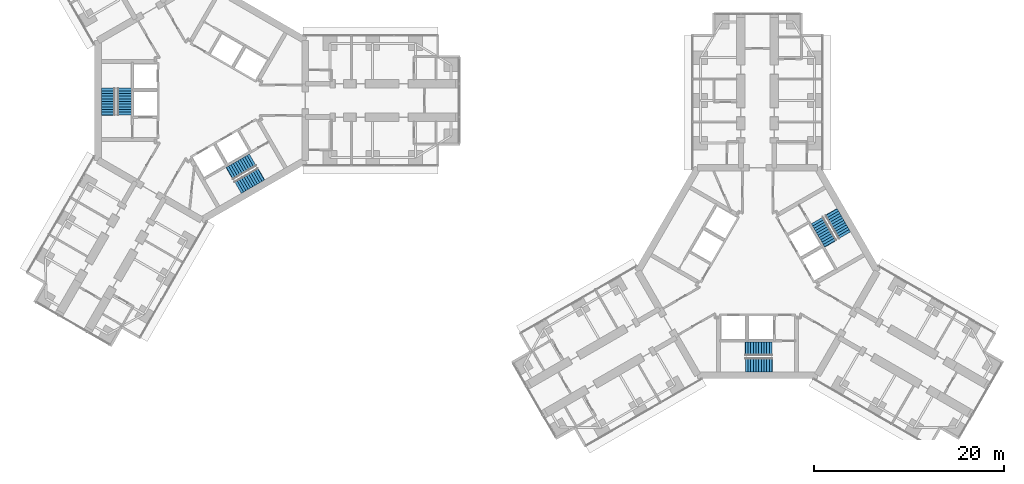
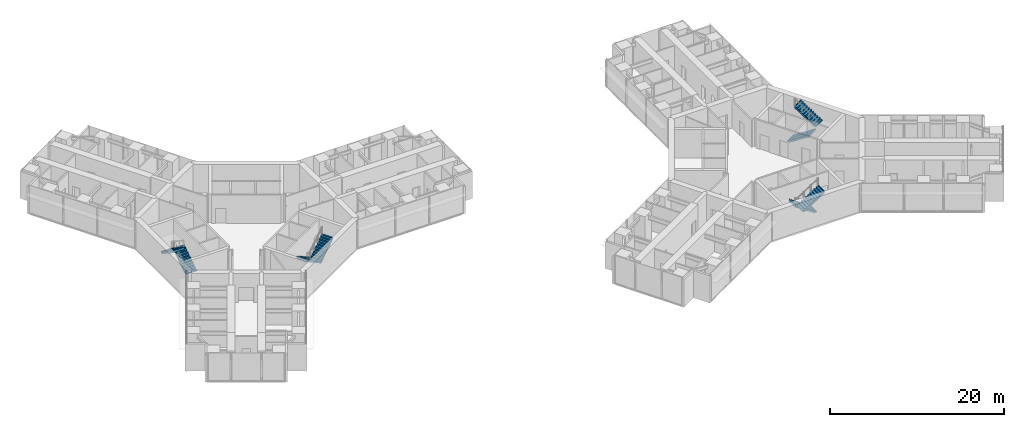
# One storey, part 23 of 24: 8 stair flights, 4 elements without a shape of their own.
"""IFC4 building model written with IfcOpenShell, lengths in metres."""

import ifcopenshell
import ifcopenshell.guid

model = None  # the IFC model being written
_history = None  # IfcOwnerHistory: only IFC2X3 demands one
_inside = {}  # id of a spatial element -> (the spatial element, [elements in it])
_under = {}  # id of a project, library or spatial element -> (it, [spatial elements below it])
_declared = {}  # id of a project -> (the project, [libraries it declares])
_typed = {}  # id of a type object -> (the type object, [elements of that type])
_made_of = {}  # id of a material, layer set ... -> (it, [elements and type objects made of it])


def new_model(schema):
    """Start an empty IFC model of exactly this schema.

    Asked for "IFC4X3", IfcOpenShell would pick the latest addendum, in which some entities
    have other attributes; the version numbers below select the first issue.
    IFC2X3 requires an IfcOwnerHistory on every rooted entity: one is made here for all.
    """
    global model, _history
    if schema == "IFC4X3":
        model = ifcopenshell.file(schema_version=(4, 3, 0, 0))
    else:
        model = ifcopenshell.file(schema=schema)
    _inside.clear()
    _under.clear()
    _declared.clear()
    _typed.clear()
    _made_of.clear()
    _history = None
    if model.schema == "IFC2X3":
        org = make("IfcOrganization", Name="unknown")
        user = make(
            "IfcPersonAndOrganization",
            ThePerson=make("IfcPerson", FamilyName="unknown"),
            TheOrganization=org,
        )
        app = make(
            "IfcApplication",
            ApplicationDeveloper=org,
            Version="unknown",
            ApplicationFullName="unknown",
            ApplicationIdentifier="unknown",
        )
        _history = make(
            "IfcOwnerHistory",
            OwningUser=user,
            OwningApplication=app,
            ChangeAction="ADDED",
            CreationDate=0,
        )
    return model


def make(cls, **values):
    """One entity of the class cls with the attributes given. An attribute that is None is left unset."""
    return model.create_entity(
        cls, **{name: value for name, value in values.items() if value is not None}
    )


def rooted(cls, **values):
    """An entity with a GlobalId (a new one), such as an element, a storey or a relation."""
    return make(cls, GlobalId=ifcopenshell.guid.new(), OwnerHistory=_history, **values)


def si_unit(unit_type, name, prefix=None):
    """IfcSIUnit, for example si_unit("LENGTHUNIT", "METRE", prefix="MILLI")."""
    return make("IfcSIUnit", UnitType=unit_type, Prefix=prefix, Name=name)


def assignment(units):
    """IfcUnitAssignment: the units of a project."""
    return None if units is None else make("IfcUnitAssignment", Units=units)


def point(xyz):
    """IfcCartesianPoint."""
    return None if xyz is None else make("IfcCartesianPoint", Coordinates=xyz)


def direction(xyz):
    """IfcDirection."""
    return None if xyz is None else make("IfcDirection", DirectionRatios=xyz)


def frame(location, z_axis=None, x_axis=None):
    """IfcAxis2Placement3D, a coordinate frame: its origin and axes. An axis left out is left unset."""
    return make(
        "IfcAxis2Placement3D",
        Location=point(location),
        Axis=direction(z_axis),
        RefDirection=direction(x_axis),
    )


def origin():
    """The frame at (0, 0, 0) with its axes left unset."""
    return frame((0.0, 0.0, 0.0))


def place(relative_to, where):
    """IfcLocalPlacement: puts the frame where relative to a parent placement (None: the world)."""
    return make(
        "IfcLocalPlacement", PlacementRelTo=relative_to, RelativePlacement=where
    )


def context(
    kind, dimensions, precision=None, world=None, true_north=None, identifier=None
):
    """IfcGeometricRepresentationContext, for example the 3D "Model" context."""
    return make(
        "IfcGeometricRepresentationContext",
        ContextIdentifier=identifier,
        ContextType=kind,
        CoordinateSpaceDimension=dimensions,
        Precision=precision,
        WorldCoordinateSystem=world,
        TrueNorth=true_north,
    )


def subcontext(parent, identifier, kind, view, scale=None):
    """IfcGeometricRepresentationSubContext, for example "Body" below "Model"."""
    return make(
        "IfcGeometricRepresentationSubContext",
        ContextIdentifier=identifier,
        ContextType=kind,
        ParentContext=parent,
        TargetScale=scale,
        TargetView=view,
    )


def project(units=None, contexts=None):
    """IfcProject with its units and contexts."""
    return rooted(
        "IfcProject",
        Name="project",
        RepresentationContexts=contexts,
        UnitsInContext=assignment(units),
    )


def spatial(cls, under=None, at=None, **own):
    """A site, building, storey or space (cls), placed at a placement, below another one or the project."""
    s = rooted(cls, ObjectPlacement=at, **own)
    if under is not None:
        _under.setdefault(under.id(), (under, []))[1].append(s)
    return s


def polyline(points):
    """IfcPolyline through the points."""
    return make("IfcPolyline", Points=[point(p) for p in points])


def outline(outer, holes=None, kind="AREA"):
    """IfcArbitraryClosedProfileDef: a profile drawn as a closed curve; with holes, ...WithVoids."""
    if holes is None:
        return make("IfcArbitraryClosedProfileDef", ProfileType=kind, OuterCurve=outer)
    return make(
        "IfcArbitraryProfileDefWithVoids",
        ProfileType=kind,
        OuterCurve=outer,
        InnerCurves=holes,
    )


def extrude(swept, where, along, depth):
    """IfcExtrudedAreaSolid: the profile swept, set in the frame where, extruded along a direction by depth."""
    return make(
        "IfcExtrudedAreaSolid",
        SweptArea=swept,
        Position=where,
        ExtrudedDirection=direction(along),
        Depth=depth,
    )


def shape(context_of_items, identifier, shape_type, items):
    """IfcShapeRepresentation: the items that make up one representation, for example the "Body"."""
    return make(
        "IfcShapeRepresentation",
        ContextOfItems=context_of_items,
        RepresentationIdentifier=identifier,
        RepresentationType=shape_type,
        Items=items,
    )


def material(Name=None, Category=None):
    """IfcMaterial."""
    return make("IfcMaterial", Name=Name, Category=Category)


def made_of(thing, what):
    """Note that an element or type object is made of a material, layer set ...; save() writes the relation."""
    if what is not None:
        _made_of.setdefault(what.id(), (what, []))[1].append(thing)
    return thing


def type_object(cls, material=None, **own):
    """A type object (cls), such as IfcWallType, which elements share."""
    return made_of(rooted(cls, **own), material)


def element(
    cls,
    number,
    at=None,
    inside=None,
    cuts=None,
    type_object=None,
    material=None,
    context=None,
    identifier="Body",
    shape_type=None,
    held_by="IfcProductDefinitionShape",
    body=None,
    shapes=None,
    **own,
):
    """One element of the class cls, such as IfcWall. Its Tag is "e" and its number.

    at: its placement. inside: the storey or other place that contains it. cuts: it is an
    opening in that element (IfcRelVoidsElement). A single representation is given by context,
    identifier, shape_type and body (its items); several are given by shapes. held_by: the class
    of the entity that holds the representations. save() writes the other relations.
    """
    e = rooted(cls, Tag="e%d" % number, ObjectPlacement=at, **own)
    if body is not None:
        shapes = [shape(context, identifier, shape_type, body)]
    if shapes is not None:
        e.Representation = make(held_by, Representations=shapes)
    if inside is not None:
        _inside.setdefault(inside.id(), (inside, []))[1].append(e)
    if cuts is not None:
        rooted(
            "IfcRelVoidsElement", RelatingBuildingElement=cuts, RelatedOpeningElement=e
        )
    if type_object is not None:
        _typed.setdefault(type_object.id(), (type_object, []))[1].append(e)
    return made_of(e, material)


def aggregate(whole, parts):
    """IfcRelAggregates: a whole, such as a stair, and the parts it consists of."""
    return rooted("IfcRelAggregates", RelatingObject=whole, RelatedObjects=parts)


def save(model, path):
    """Write the relations noted so far, then the file.

    IfcRelAggregates (storeys below a building ...), IfcRelContainedInSpatialStructure (elements
    in a storey), IfcRelDefinesByType, IfcRelAssociatesMaterial and IfcRelDeclares: one each for
    every whole, place, type object, material and project.
    """
    for whole, parts in _under.values():
        aggregate(whole, parts)
    for where, things in _inside.values():
        rooted(
            "IfcRelContainedInSpatialStructure",
            RelatedElements=things,
            RelatingStructure=where,
        )
    for kind, things in _typed.values():
        rooted("IfcRelDefinesByType", RelatedObjects=things, RelatingType=kind)
    for what, things in _made_of.values():
        rooted("IfcRelAssociatesMaterial", RelatedObjects=things, RelatingMaterial=what)
    for by, libraries in _declared.values():
        rooted("IfcRelDeclares", RelatingContext=by, RelatedDefinitions=libraries)
    model.write(path)


model = new_model("IFC4")

# Units and contexts
model_context = context("Model", 3, precision=1e-05, world=origin(), true_north=direction((0.0, 1.0)))
body_context = subcontext(model_context, "Body", "Model", "MODEL_VIEW")
ifc_project = project(units=[si_unit("LENGTHUNIT", "METRE"), si_unit("AREAUNIT", "SQUARE_METRE"), si_unit("VOLUMEUNIT", "CUBIC_METRE"), si_unit("PLANEANGLEUNIT", "RADIAN"), si_unit("MASSUNIT", "GRAM", prefix="KILO")], contexts=[model_context])

# Site, building, storey
site_placement = place(None, origin())
site = spatial("IfcSite", under=ifc_project, at=site_placement, CompositionType="ELEMENT")
building_placement = place(site_placement, origin())
building = spatial("IfcBuilding", under=site, at=building_placement, Name="Upepo Twin Towers", CompositionType="ELEMENT")
storey_placement = place(building_placement, frame((0.0, 0.0, 56.5)))
storey = spatial("IfcBuildingStorey", under=building, at=storey_placement, Name="L13", CompositionType="ELEMENT", Elevation=56.5)

# Stair, stair flights
ifc_material_1 = material(Name="Concrete C40/50", Category="concrete")
stair_type = type_object("IfcStairType", Name="Core stair, two flights", PredefinedType="HALF_TURN_STAIR", material=ifc_material_1)
stair_1_placement = place(storey_placement, origin())
stair_1 = element("IfcStair", 1, at=stair_1_placement, inside=storey, type_object=stair_type, Name="T1 stair S1 L13", PredefinedType="HALF_TURN_STAIR")
ifc_material_2 = material(Name="Concrete C40/50", Category="concrete")
stair_flight_type = type_object("IfcStairFlightType", Name="Stair flight 1450 RC", PredefinedType="STRAIGHT", material=ifc_material_2)
stair_flight_1_placement = place(storey_placement, frame((-8.125, -1.52001953125, 0.0), z_axis=(0.0, 0.0, 1.0), x_axis=(0.0, 1.0, 0.0)))
stair_flight_1 = element("IfcStairFlight", 2, at=stair_flight_1_placement, type_object=stair_flight_type, Name="Stair S1 flight 1", NumberOfRisers=11, NumberOfTreads=10, PredefinedType="STRAIGHT", RiserHeight=0.181818182, TreadLength=0.28, context=body_context, shape_type="SweptSolid", body=[
    extrude(outline(polyline([(0.0, 0.0), (0.0, 0.181884765625), (0.280029296875, 0.181884765625), (0.280029296875, 0.363525390625), (0.56005859375, 0.363525390625), (0.56005859375, 0.54541015625), (0.840087890625, 0.54541015625), (0.840087890625, 0.727294921875), (1.1201171875, 0.727294921875), (1.1201171875, 0.9091796875), (1.39990234375, 0.9091796875), (1.39990234375, 1.0908203125), (1.679931640625, 1.0908203125), (1.679931640625, 1.272705078125), (1.9599609375, 1.272705078125), (1.9599609375, 1.45458984375), (2.239990234375, 1.45458984375), (2.239990234375, 1.636474609375), (2.52001953125, 1.636474609375), (2.52001953125, 1.818115234375), (2.800048828125, 1.818115234375), (2.800048828125, 2.0), (2.85009765625, 2.0), (2.85009765625, 1.639404296875), (0.3251953125, 0.0), (0.0, 0.0)])), frame((0.0, 0.72509765625, 0.0), z_axis=(0.0, -1.0, 0.0), x_axis=(1.0, 0.0, 0.0)), (0.0, 0.0, 1.0), 1.449951171875),
])
stair_flight_2_placement = place(storey_placement, frame((-9.833251953125, 1.280029296875, 2.0), z_axis=(0.0, 0.0, 1.0), x_axis=(0.0, -1.0, 0.0)))
stair_flight_2 = element("IfcStairFlight", 3, at=stair_flight_2_placement, type_object=stair_flight_type, Name="Stair S1 flight 2", NumberOfRisers=11, NumberOfTreads=10, PredefinedType="STRAIGHT", RiserHeight=0.181818182, TreadLength=0.28, context=body_context, shape_type="SweptSolid", body=[
    extrude(outline(polyline([(0.0, 0.0), (0.0, 0.181884765625), (0.280029296875, 0.181884765625), (0.280029296875, 0.363525390625), (0.56005859375, 0.363525390625), (0.56005859375, 0.54541015625), (0.840087890625, 0.54541015625), (0.840087890625, 0.727294921875), (1.1201171875, 0.727294921875), (1.1201171875, 0.9091796875), (1.39990234375, 0.9091796875), (1.39990234375, 1.0908203125), (1.679931640625, 1.0908203125), (1.679931640625, 1.272705078125), (1.9599609375, 1.272705078125), (1.9599609375, 1.45458984375), (2.239990234375, 1.45458984375), (2.239990234375, 1.636474609375), (2.52001953125, 1.636474609375), (2.52001953125, 1.818115234375), (2.800048828125, 1.818115234375), (2.800048828125, 2.0), (2.85009765625, 2.0), (2.85009765625, 1.639404296875), (0.3251953125, 0.0), (0.0, 0.0)])), frame((0.0, 0.72509765625, 0.0), z_axis=(0.0, -1.0, 0.0), x_axis=(1.0, 0.0, 0.0)), (0.0, 0.0, 1.0), 1.449951171875),
])
aggregate(stair_1, [stair_flight_1, stair_flight_2])

stair_2_placement = place(storey_placement, origin())
stair_2 = element("IfcStair", 4, at=stair_2_placement, inside=storey, type_object=stair_type, Name="T1 stair S2 L13", PredefinedType="HALF_TURN_STAIR")
stair_flight_3_placement = place(storey_placement, frame((5.37890625, -6.2763671875, 0.0), z_axis=(0.0, 0.0, 1.0), x_axis=(-0.866025403784, -0.5, 0.0)))
stair_flight_3 = element("IfcStairFlight", 5, at=stair_flight_3_placement, type_object=stair_flight_type, Name="Stair S2 flight 1", NumberOfRisers=11, NumberOfTreads=10, PredefinedType="STRAIGHT", RiserHeight=0.181818182, TreadLength=0.28, context=body_context, shape_type="SweptSolid", body=[
    extrude(outline(polyline([(0.0, 0.0), (0.0, 0.181884765625), (0.280029296875, 0.181884765625), (0.280029296875, 0.363525390625), (0.56005859375, 0.363525390625), (0.56005859375, 0.54541015625), (0.840087890625, 0.54541015625), (0.840087890625, 0.727294921875), (1.1201171875, 0.727294921875), (1.1201171875, 0.9091796875), (1.39990234375, 0.9091796875), (1.39990234375, 1.0908203125), (1.679931640625, 1.0908203125), (1.679931640625, 1.272705078125), (1.9599609375, 1.272705078125), (1.9599609375, 1.45458984375), (2.239990234375, 1.45458984375), (2.239990234375, 1.636474609375), (2.52001953125, 1.636474609375), (2.52001953125, 1.818115234375), (2.800048828125, 1.818115234375), (2.800048828125, 2.0), (2.85009765625, 2.0), (2.85009765625, 1.639404296875), (0.3251953125, 0.0), (0.0, 0.0)])), frame((0.0, 0.72509765625, 0.0), z_axis=(0.0, -1.0, 0.0), x_axis=(1.0, 0.0, 0.0)), (0.0, 0.0, 1.0), 1.449951171875),
])
stair_flight_4_placement = place(storey_placement, frame((3.80810546875, -9.156005859375, 2.0), z_axis=(0.0, 0.0, 1.0), x_axis=(0.866025403784, 0.5, 0.0)))
stair_flight_4 = element("IfcStairFlight", 6, at=stair_flight_4_placement, type_object=stair_flight_type, Name="Stair S2 flight 2", NumberOfRisers=11, NumberOfTreads=10, PredefinedType="STRAIGHT", RiserHeight=0.181818182, TreadLength=0.28, context=body_context, shape_type="SweptSolid", body=[
    extrude(outline(polyline([(0.0, 0.0), (0.0, 0.181884765625), (0.280029296875, 0.181884765625), (0.280029296875, 0.363525390625), (0.56005859375, 0.363525390625), (0.56005859375, 0.54541015625), (0.840087890625, 0.54541015625), (0.840087890625, 0.727294921875), (1.1201171875, 0.727294921875), (1.1201171875, 0.9091796875), (1.39990234375, 0.9091796875), (1.39990234375, 1.0908203125), (1.679931640625, 1.0908203125), (1.679931640625, 1.272705078125), (1.9599609375, 1.272705078125), (1.9599609375, 1.45458984375), (2.239990234375, 1.45458984375), (2.239990234375, 1.636474609375), (2.52001953125, 1.636474609375), (2.52001953125, 1.818115234375), (2.800048828125, 1.818115234375), (2.800048828125, 2.0), (2.85009765625, 2.0), (2.85009765625, 1.639404296875), (0.3251953125, 0.0), (0.0, 0.0)])), frame((0.0, 0.72509765625, 0.0), z_axis=(0.0, -1.0, 0.0), x_axis=(1.0, 0.0, 0.0)), (0.0, 0.0, 1.0), 1.449951171875),
])
aggregate(stair_2, [stair_flight_3, stair_flight_4])

stair_3_placement = place(storey_placement, origin())
stair_3 = element("IfcStair", 7, at=stair_3_placement, inside=storey, type_object=stair_type, Name="T2 stair S1 L13", PredefinedType="HALF_TURN_STAIR")
stair_flight_5_placement = place(storey_placement, frame((60.02001953125, -26.125, 0.0), z_axis=(0.0, 0.0, 1.0), x_axis=(-1.0, 0.0, 0.0)))
stair_flight_5 = element("IfcStairFlight", 8, at=stair_flight_5_placement, type_object=stair_flight_type, Name="Stair S1 flight 1", NumberOfRisers=11, NumberOfTreads=10, PredefinedType="STRAIGHT", RiserHeight=0.181818182, TreadLength=0.28, context=body_context, shape_type="SweptSolid", body=[
    extrude(outline(polyline([(0.0, 0.0), (0.0, 0.181884765625), (0.280029296875, 0.181884765625), (0.280029296875, 0.363525390625), (0.56005859375, 0.363525390625), (0.56005859375, 0.54541015625), (0.840087890625, 0.54541015625), (0.840087890625, 0.727294921875), (1.1201171875, 0.727294921875), (1.1201171875, 0.9091796875), (1.39990234375, 0.9091796875), (1.39990234375, 1.0908203125), (1.679931640625, 1.0908203125), (1.679931640625, 1.272705078125), (1.9599609375, 1.272705078125), (1.9599609375, 1.45458984375), (2.239990234375, 1.45458984375), (2.239990234375, 1.636474609375), (2.52001953125, 1.636474609375), (2.52001953125, 1.818115234375), (2.800048828125, 1.818115234375), (2.800048828125, 2.0), (2.85009765625, 2.0), (2.85009765625, 1.639404296875), (0.3251953125, 0.0), (0.0, 0.0)])), frame((0.0, 0.72509765625, 0.0), z_axis=(0.0, -1.0, 0.0), x_axis=(1.0, 0.0, 0.0)), (0.0, 0.0, 1.0), 1.449951171875),
])
stair_flight_6_placement = place(storey_placement, frame((57.219970703125, -27.833251953125, 2.0), z_axis=(0.0, 0.0, 1.0), x_axis=(1.0, 0.0, 0.0)))
stair_flight_6 = element("IfcStairFlight", 9, at=stair_flight_6_placement, type_object=stair_flight_type, Name="Stair S1 flight 2", NumberOfRisers=11, NumberOfTreads=10, PredefinedType="STRAIGHT", RiserHeight=0.181818182, TreadLength=0.28, context=body_context, shape_type="SweptSolid", body=[
    extrude(outline(polyline([(0.0, 0.0), (0.0, 0.181884765625), (0.280029296875, 0.181884765625), (0.280029296875, 0.363525390625), (0.56005859375, 0.363525390625), (0.56005859375, 0.54541015625), (0.840087890625, 0.54541015625), (0.840087890625, 0.727294921875), (1.1201171875, 0.727294921875), (1.1201171875, 0.9091796875), (1.39990234375, 0.9091796875), (1.39990234375, 1.0908203125), (1.679931640625, 1.0908203125), (1.679931640625, 1.272705078125), (1.9599609375, 1.272705078125), (1.9599609375, 1.45458984375), (2.239990234375, 1.45458984375), (2.239990234375, 1.636474609375), (2.52001953125, 1.636474609375), (2.52001953125, 1.818115234375), (2.800048828125, 1.818115234375), (2.800048828125, 2.0), (2.85009765625, 2.0), (2.85009765625, 1.639404296875), (0.3251953125, 0.0), (0.0, 0.0)])), frame((0.0, 0.72509765625, 0.0), z_axis=(0.0, -1.0, 0.0), x_axis=(1.0, 0.0, 0.0)), (0.0, 0.0, 1.0), 1.449951171875),
])
aggregate(stair_3, [stair_flight_5, stair_flight_6])

stair_4_placement = place(storey_placement, origin())
stair_4 = element("IfcStair", 10, at=stair_4_placement, inside=storey, type_object=stair_type, Name="T2 stair S2 L13", PredefinedType="HALF_TURN_STAIR")
stair_flight_7_placement = place(storey_placement, frame((64.7763671875, -12.62109375, 0.0), z_axis=(0.0, 0.0, 1.0), x_axis=(0.5, -0.866025403784, 0.0)))
stair_flight_7 = element("IfcStairFlight", 11, at=stair_flight_7_placement, type_object=stair_flight_type, Name="Stair S2 flight 1", NumberOfRisers=11, NumberOfTreads=10, PredefinedType="STRAIGHT", RiserHeight=0.181818182, TreadLength=0.28, context=body_context, shape_type="SweptSolid", body=[
    extrude(outline(polyline([(0.0, 0.0), (0.0, 0.181884765625), (0.280029296875, 0.181884765625), (0.280029296875, 0.363525390625), (0.56005859375, 0.363525390625), (0.56005859375, 0.54541015625), (0.840087890625, 0.54541015625), (0.840087890625, 0.727294921875), (1.1201171875, 0.727294921875), (1.1201171875, 0.9091796875), (1.39990234375, 0.9091796875), (1.39990234375, 1.0908203125), (1.679931640625, 1.0908203125), (1.679931640625, 1.272705078125), (1.9599609375, 1.272705078125), (1.9599609375, 1.45458984375), (2.239990234375, 1.45458984375), (2.239990234375, 1.636474609375), (2.52001953125, 1.636474609375), (2.52001953125, 1.818115234375), (2.800048828125, 1.818115234375), (2.800048828125, 2.0), (2.85009765625, 2.0), (2.85009765625, 1.639404296875), (0.3251953125, 0.0), (0.0, 0.0)])), frame((0.0, 0.72509765625, 0.0), z_axis=(0.0, -1.0, 0.0), x_axis=(1.0, 0.0, 0.0)), (0.0, 0.0, 1.0), 1.449951171875),
])
stair_flight_8_placement = place(storey_placement, frame((67.656005859375, -14.19189453125, 2.0), z_axis=(0.0, 0.0, 1.0), x_axis=(-0.5, 0.866025403784, 0.0)))
stair_flight_8 = element("IfcStairFlight", 12, at=stair_flight_8_placement, type_object=stair_flight_type, Name="Stair S2 flight 2", NumberOfRisers=11, NumberOfTreads=10, PredefinedType="STRAIGHT", RiserHeight=0.181818182, TreadLength=0.28, context=body_context, shape_type="SweptSolid", body=[
    extrude(outline(polyline([(0.0, 0.0), (0.0, 0.181884765625), (0.280029296875, 0.181884765625), (0.280029296875, 0.363525390625), (0.56005859375, 0.363525390625), (0.56005859375, 0.54541015625), (0.840087890625, 0.54541015625), (0.840087890625, 0.727294921875), (1.1201171875, 0.727294921875), (1.1201171875, 0.9091796875), (1.39990234375, 0.9091796875), (1.39990234375, 1.0908203125), (1.679931640625, 1.0908203125), (1.679931640625, 1.272705078125), (1.9599609375, 1.272705078125), (1.9599609375, 1.45458984375), (2.239990234375, 1.45458984375), (2.239990234375, 1.636474609375), (2.52001953125, 1.636474609375), (2.52001953125, 1.818115234375), (2.800048828125, 1.818115234375), (2.800048828125, 2.0), (2.85009765625, 2.0), (2.85009765625, 1.639404296875), (0.3251953125, 0.0), (0.0, 0.0)])), frame((0.0, 0.72509765625, 0.0), z_axis=(0.0, -1.0, 0.0), x_axis=(1.0, 0.0, 0.0)), (0.0, 0.0, 1.0), 1.449951171875),
])
aggregate(stair_4, [stair_flight_7, stair_flight_8])

save(model, "model.ifc")
